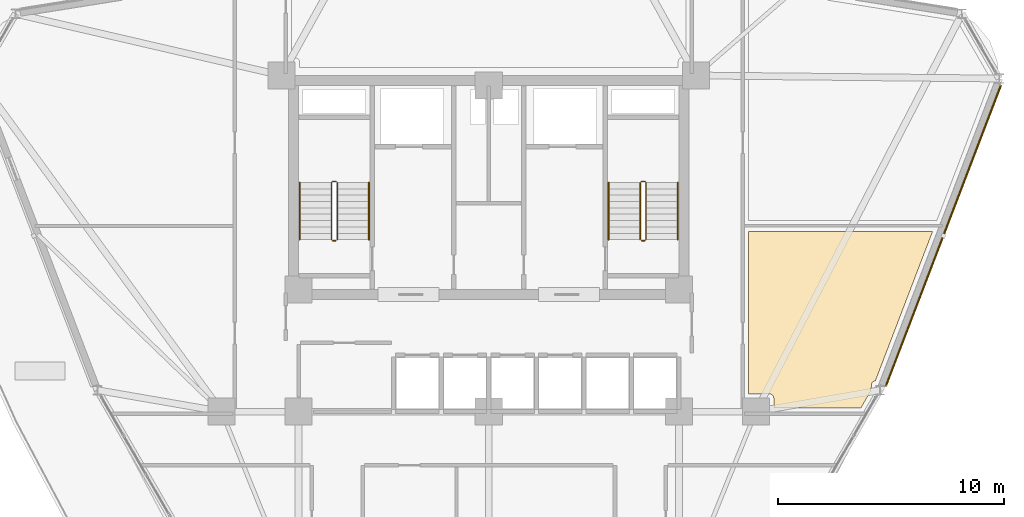
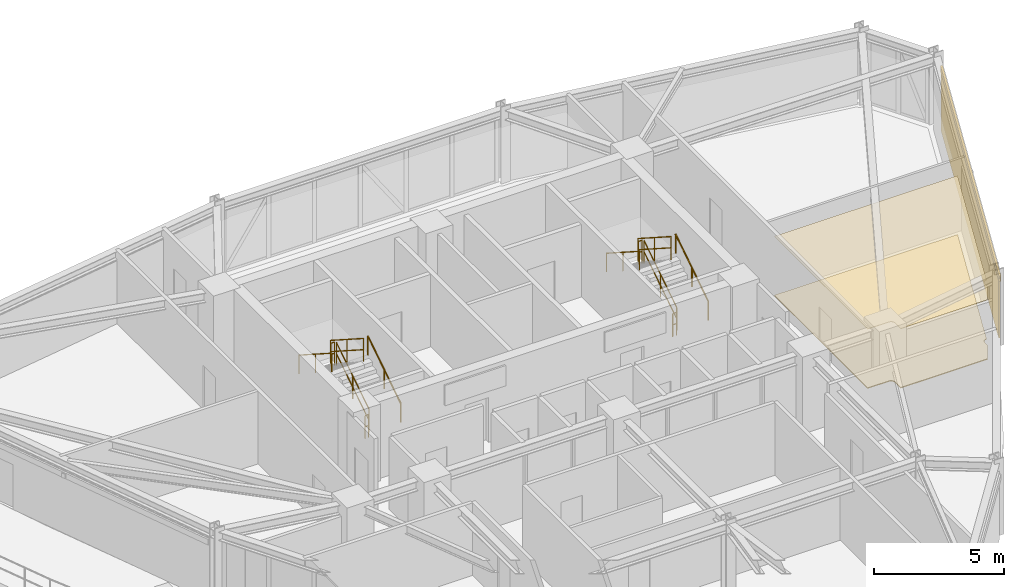
# One storey, part 17 of 18: 12 railings, 3 coverings, 1 shading device.
"""IFC4 building model written with IfcOpenShell, lengths in metres."""

from ifc_helpers import new_model, si_unit, derived_unit, direction, frame, origin, origin_2d, place, context, subcontext, project, spatial, polyline, hollow_rectangle, circle, outline, extrude, source, transform, mapped, material, layer, layer_set, material_profile, profile_set, type_object, element, save


model = new_model("IFC4")

# Units and contexts
model_context = context("Model", 3, precision=1e-05, world=origin(), true_north=direction((0.0, 1.0)))
body_context = subcontext(model_context, "Body", "Model", "MODEL_VIEW")
ifc_project = project(units=[si_unit("LENGTHUNIT", "METRE"), si_unit("AREAUNIT", "SQUARE_METRE"), si_unit("VOLUMEUNIT", "CUBIC_METRE"), si_unit("PLANEANGLEUNIT", "RADIAN"), si_unit("MASSUNIT", "GRAM", prefix="KILO"), derived_unit("THERMALTRANSMITTANCEUNIT", [(si_unit("POWERUNIT", "WATT"), 1), (si_unit("LENGTHUNIT", "METRE"), -2), (si_unit("THERMODYNAMICTEMPERATUREUNIT", "KELVIN"), -1)])], contexts=[model_context])

# Site, building, storey
site_placement = place(None, origin())
site = spatial("IfcSite", under=ifc_project, at=site_placement, CompositionType="ELEMENT")
building_placement = place(site_placement, origin())
building = spatial("IfcBuilding", under=site, at=building_placement, Name="Korsvarv Bourse and Concert Hall", CompositionType="ELEMENT")
storey_placement = place(building_placement, frame((0.0, 0.0, 168.60009765625)))
storey = spatial("IfcBuildingStorey", under=building, at=storey_placement, Name="L43", CompositionType="ELEMENT", Elevation=168.60009765625)

# Coverings
ifc_material_1 = material(Name="Perforated mineral-wool and birch acoustic baffle ceiling", Category="wood")
ifc_layer_1 = layer(ifc_material_1, 0.02490234375)
ifc_layer_set_1 = layer_set([ifc_layer_1], Name="Perforated mineral-wool and birch acoustic baffle ceiling")
covering_type_1 = type_object("IfcCoveringType", Name="COV-CEIL-1", PredefinedType="CEILING", material=ifc_layer_set_1)
covering_1_placement = place(storey_placement, frame((0.0, 0.0, 2.77978515625)))
element("IfcCovering", 1, at=covering_1_placement, inside=storey, type_object=covering_type_1, Name="L43 acoustic baffle ceiling 3", PredefinedType="CEILING", context=body_context, shape_type="SweptSolid", body=[
    extrude(outline(polyline([(48.590087890625, 32.570068359375), (48.590087890625, 33.0), (48.586669921875, 33.034912109375), (48.576416015625, 33.068603515625), (48.56005859375, 33.099609375), (48.537841796875, 33.126708984375), (48.5107421875, 33.149169921875), (48.47998046875, 33.165771484375), (48.446533203125, 33.17626953125), (48.41162109375, 33.179931640625), (47.47998046875, 33.1884765625), (47.47998046875, 40.35009765625), (55.601318359375, 40.35009765625), (53.077392578125, 33.75537109375), (53.04541015625, 33.752197265625), (53.01220703125, 33.7421875), (52.981689453125, 33.726318359375), (52.95458984375, 33.704833984375), (52.93212890625, 33.6787109375), (52.915283203125, 33.648681640625), (52.904296875, 33.615966796875), (52.899658203125, 33.581787109375), (52.891357421875, 33.344970703125), (52.443359375, 32.5693359375), (48.590087890625, 32.570068359375)])), origin(), (0.0, 0.0, 1.0), 0.025146484375),
])
ifc_material_2 = material(Name="Warm iron-oxide extruded terracotta rainscreen tile", Category="ceramic")
ifc_layer_2 = layer(ifc_material_2, 0.044921875)
ifc_layer_set_2 = layer_set([ifc_layer_2], Name="Warm iron-oxide extruded terracotta rainscreen tile")
covering_type_2 = type_object("IfcCoveringType", Name="COV-CLD-TC", PredefinedType="CLADDING", material=ifc_layer_set_2)
covering_2_placement = place(storey_placement, origin())
element("IfcCovering", 2, at=covering_2_placement, inside=storey, type_object=covering_type_2, Name="L43 fluted terracotta cladding panel EW-L43-B12", PredefinedType="CLADDING", context=body_context, shape_type="SweptSolid", body=[
    extrude(outline(polyline([(53.525390625, 33.596923828125), (58.56640625, 46.768798828125), (58.6083984375, 46.752685546875), (53.5673828125, 33.580810546875), (53.525390625, 33.596923828125)])), origin(), (0.0, 0.0, 1.0), 2.679931640625),
])
ifc_material_3 = material(Name="Calcium-sulphate raised access trading floor with Nordic oak top", Category="wood")
ifc_layer_3 = layer(ifc_material_3, 0.0400390625)
ifc_layer_set_3 = layer_set([ifc_layer_3], Name="Calcium-sulphate raised access trading floor with Nordic oak top")
covering_type_3 = type_object("IfcCoveringType", Name="COV-FLOR-1", PredefinedType="FLOORING", material=ifc_layer_set_3)
covering_3_placement = place(storey_placement, origin())
element("IfcCovering", 3, at=covering_3_placement, inside=storey, type_object=covering_type_3, Name="L43 raised access oak floor finish 3", PredefinedType="FLOORING", context=body_context, shape_type="SweptSolid", body=[
    extrude(outline(polyline([(48.590087890625, 32.570068359375), (48.590087890625, 33.0), (48.586669921875, 33.034912109375), (48.576416015625, 33.068603515625), (48.56005859375, 33.099609375), (48.537841796875, 33.126708984375), (48.5107421875, 33.149169921875), (48.47998046875, 33.165771484375), (48.446533203125, 33.17626953125), (48.41162109375, 33.179931640625), (47.47998046875, 33.1884765625), (47.47998046875, 40.35009765625), (55.601318359375, 40.35009765625), (53.077392578125, 33.75537109375), (53.04541015625, 33.752197265625), (53.01220703125, 33.7421875), (52.981689453125, 33.726318359375), (52.95458984375, 33.704833984375), (52.93212890625, 33.6787109375), (52.915283203125, 33.648681640625), (52.904296875, 33.615966796875), (52.899658203125, 33.581787109375), (52.891357421875, 33.344970703125), (52.443359375, 32.5693359375), (48.590087890625, 32.570068359375)])), origin(), (0.0, 0.0, 1.0), 0.039794921875),
])

# Railings
ifc_material_4 = material(Name="Painted Steel S355 stair well guardrail", Category="steel")
railing_type_1 = type_object("IfcRailingType", Name="RL-ST-GRD", PredefinedType="GUARDRAIL", material=ifc_material_4)
railing_1_placement = place(storey_placement, frame((29.31005859375, 40.0, 0.179931640625)))
element("IfcRailing", 4, at=railing_1_placement, inside=storey, type_object=railing_type_1, Name="L43 ST-T1 stair guard 1", PredefinedType="GUARDRAIL", context=body_context, shape_type="SweptSolid", body=[
    extrude(circle(Radius=0.02392578125, at=origin_2d()), frame((0.0, 0.0, 1.076171875), z_axis=(0.0, 0.841199657755, 0.540724639528), x_axis=(-1.0, 0.0, 0.0)), (0.0, 0.0, 1.0), 2.995849609375),
    extrude(circle(Radius=0.02392578125, at=origin_2d()), frame((0.0, 0.0, 0.550048828125), z_axis=(0.0, 0.841199657755, 0.540724639528), x_axis=(-1.0, 0.0, 0.0)), (0.0, 0.0, 1.0), 2.995849609375),
    extrude(circle(Radius=0.02099609375, at=origin_2d()), origin(), (0.0, 0.0, 1.0), 1.052001953125),
    extrude(circle(Radius=0.02099609375, at=origin_2d()), frame((0.0, 1.260009765625, 0.81005859375)), (0.0, 0.0, 1.0), 1.052001953125),
    extrude(circle(Radius=0.02099609375, at=origin_2d()), frame((0.0, 2.52001953125, 1.619873046875)), (0.0, 0.0, 1.0), 1.052001953125),
])
railing_2_placement = place(storey_placement, frame((29.260009765625, 42.570068359375, 1.7998046875)))
element("IfcRailing", 5, at=railing_2_placement, inside=storey, type_object=railing_type_1, Name="L43 ST-T1 stair guard 2", PredefinedType="GUARDRAIL", context=body_context, shape_type="SweptSolid", body=[
    extrude(circle(Radius=0.02392578125, at=origin_2d()), frame((0.0, 0.0, 1.076171875), z_axis=(-1.0, 0.0, 0.0), x_axis=(0.0, -1.0, 0.0)), (0.0, 0.0, 1.0), 0.159912109375),
    extrude(circle(Radius=0.02392578125, at=origin_2d()), frame((0.0, 0.0, 0.550048828125), z_axis=(-1.0, 0.0, 0.0), x_axis=(0.0, -1.0, 0.0)), (0.0, 0.0, 1.0), 0.159912109375),
    extrude(circle(Radius=0.02099609375, at=origin_2d()), origin(), (0.0, 0.0, 1.0), 1.052001953125),
    extrude(circle(Radius=0.02099609375, at=origin_2d()), frame((-0.159912109375, 0.0, 0.0)), (0.0, 0.0, 1.0), 1.052001953125),
])
railing_3_placement = place(storey_placement, frame((29.050048828125, 42.52001953125, 1.97998046875)))
element("IfcRailing", 6, at=railing_3_placement, inside=storey, type_object=railing_type_1, Name="L43 ST-T1 stair guard 3", PredefinedType="GUARDRAIL", context=body_context, shape_type="SweptSolid", body=[
    extrude(circle(Radius=0.02392578125, at=origin_2d()), frame((0.0, 0.0, 1.076171875), z_axis=(0.0, -0.841199657755, 0.540724639528), x_axis=(1.0, 0.0, 0.0)), (0.0, 0.0, 1.0), 2.995849609375),
    extrude(circle(Radius=0.02392578125, at=origin_2d()), frame((0.0, 0.0, 0.550048828125), z_axis=(0.0, -0.841199657755, 0.540724639528), x_axis=(1.0, 0.0, 0.0)), (0.0, 0.0, 1.0), 2.995849609375),
    extrude(circle(Radius=0.02099609375, at=origin_2d()), origin(), (0.0, 0.0, 1.0), 1.052001953125),
    extrude(circle(Radius=0.02099609375, at=origin_2d()), frame((0.0, -1.260009765625, 0.81005859375)), (0.0, 0.0, 1.0), 1.052001953125),
    extrude(circle(Radius=0.02099609375, at=origin_2d()), frame((0.0, -2.52001953125, 1.619873046875)), (0.0, 0.0, 1.0), 1.052001953125),
])
railing_4_placement = place(storey_placement, frame((29.260009765625, 39.949951171875, 0.0)))
element("IfcRailing", 7, at=railing_4_placement, inside=storey, type_object=railing_type_1, Name="L43 ST-T1 stair guard 4", PredefinedType="GUARDRAIL", context=body_context, shape_type="SweptSolid", body=[
    extrude(circle(Radius=0.02392578125, at=origin_2d()), frame((0.0, 0.0, 1.076171875), z_axis=(-1.0, 0.0, 0.0), x_axis=(0.0, -1.0, 0.0)), (0.0, 0.0, 1.0), 0.159912109375),
    extrude(circle(Radius=0.02392578125, at=origin_2d()), frame((0.0, 0.0, 0.550048828125), z_axis=(-1.0, 0.0, 0.0), x_axis=(0.0, -1.0, 0.0)), (0.0, 0.0, 1.0), 0.159912109375),
    extrude(circle(Radius=0.02099609375, at=origin_2d()), origin(), (0.0, 0.0, 1.0), 1.052001953125),
    extrude(circle(Radius=0.02099609375, at=origin_2d()), frame((-0.159912109375, 0.0, 0.0)), (0.0, 0.0, 1.0), 1.052001953125),
])
railing_5_placement = place(storey_placement, frame((42.949951171875, 40.0, 0.179931640625)))
element("IfcRailing", 8, at=railing_5_placement, inside=storey, type_object=railing_type_1, Name="L43 ST-T2 stair guard 1", PredefinedType="GUARDRAIL", context=body_context, shape_type="SweptSolid", body=[
    extrude(circle(Radius=0.02392578125, at=origin_2d()), frame((0.0, 0.0, 1.076171875), z_axis=(0.0, 0.841199657755, 0.540724639528), x_axis=(-1.0, 0.0, 0.0)), (0.0, 0.0, 1.0), 2.995849609375),
    extrude(circle(Radius=0.02392578125, at=origin_2d()), frame((0.0, 0.0, 0.550048828125), z_axis=(0.0, 0.841199657755, 0.540724639528), x_axis=(-1.0, 0.0, 0.0)), (0.0, 0.0, 1.0), 2.995849609375),
    extrude(circle(Radius=0.02099609375, at=origin_2d()), origin(), (0.0, 0.0, 1.0), 1.052001953125),
    extrude(circle(Radius=0.02099609375, at=origin_2d()), frame((0.0, 1.260009765625, 0.81005859375)), (0.0, 0.0, 1.0), 1.052001953125),
    extrude(circle(Radius=0.02099609375, at=origin_2d()), frame((0.0, 2.52001953125, 1.619873046875)), (0.0, 0.0, 1.0), 1.052001953125),
])
railing_6_placement = place(storey_placement, frame((42.89990234375, 42.570068359375, 1.7998046875)))
element("IfcRailing", 9, at=railing_6_placement, inside=storey, type_object=railing_type_1, Name="L43 ST-T2 stair guard 2", PredefinedType="GUARDRAIL", context=body_context, shape_type="SweptSolid", body=[
    extrude(circle(Radius=0.02392578125, at=origin_2d()), frame((0.0, 0.0, 1.076171875), z_axis=(-1.0, 0.0, 0.0), x_axis=(0.0, -1.0, 0.0)), (0.0, 0.0, 1.0), 0.159912109375),
    extrude(circle(Radius=0.02392578125, at=origin_2d()), frame((0.0, 0.0, 0.550048828125), z_axis=(-1.0, 0.0, 0.0), x_axis=(0.0, -1.0, 0.0)), (0.0, 0.0, 1.0), 0.159912109375),
    extrude(circle(Radius=0.02099609375, at=origin_2d()), origin(), (0.0, 0.0, 1.0), 1.052001953125),
    extrude(circle(Radius=0.02099609375, at=origin_2d()), frame((-0.159912109375, 0.0, 0.0)), (0.0, 0.0, 1.0), 1.052001953125),
])
railing_7_placement = place(storey_placement, frame((42.68994140625, 42.52001953125, 1.97998046875)))
element("IfcRailing", 10, at=railing_7_placement, inside=storey, type_object=railing_type_1, Name="L43 ST-T2 stair guard 3", PredefinedType="GUARDRAIL", context=body_context, shape_type="SweptSolid", body=[
    extrude(circle(Radius=0.02392578125, at=origin_2d()), frame((0.0, 0.0, 1.076171875), z_axis=(0.0, -0.841199657755, 0.540724639528), x_axis=(1.0, 0.0, 0.0)), (0.0, 0.0, 1.0), 2.995849609375),
    extrude(circle(Radius=0.02392578125, at=origin_2d()), frame((0.0, 0.0, 0.550048828125), z_axis=(0.0, -0.841199657755, 0.540724639528), x_axis=(1.0, 0.0, 0.0)), (0.0, 0.0, 1.0), 2.995849609375),
    extrude(circle(Radius=0.02099609375, at=origin_2d()), origin(), (0.0, 0.0, 1.0), 1.052001953125),
    extrude(circle(Radius=0.02099609375, at=origin_2d()), frame((0.0, -1.260009765625, 0.81005859375)), (0.0, 0.0, 1.0), 1.052001953125),
    extrude(circle(Radius=0.02099609375, at=origin_2d()), frame((0.0, -2.52001953125, 1.619873046875)), (0.0, 0.0, 1.0), 1.052001953125),
])
railing_8_placement = place(storey_placement, frame((42.89990234375, 39.949951171875, 0.0)))
element("IfcRailing", 11, at=railing_8_placement, inside=storey, type_object=railing_type_1, Name="L43 ST-T2 stair guard 4", PredefinedType="GUARDRAIL", context=body_context, shape_type="SweptSolid", body=[
    extrude(circle(Radius=0.02392578125, at=origin_2d()), frame((0.0, 0.0, 1.076171875), z_axis=(-1.0, 0.0, 0.0), x_axis=(0.0, -1.0, 0.0)), (0.0, 0.0, 1.0), 0.159912109375),
    extrude(circle(Radius=0.02392578125, at=origin_2d()), frame((0.0, 0.0, 0.550048828125), z_axis=(-1.0, 0.0, 0.0), x_axis=(0.0, -1.0, 0.0)), (0.0, 0.0, 1.0), 0.159912109375),
    extrude(circle(Radius=0.02099609375, at=origin_2d()), origin(), (0.0, 0.0, 1.0), 1.052001953125),
    extrude(circle(Radius=0.02099609375, at=origin_2d()), frame((-0.159912109375, 0.0, 0.0)), (0.0, 0.0, 1.0), 1.052001953125),
])
ifc_material_5 = material(Name="Brushed stainless Steel S355 tubular handrail", Category="steel")
railing_type_2 = type_object("IfcRailingType", Name="RL-ST-HND", PredefinedType="HANDRAIL", material=ifc_material_5)
railing_9_placement = place(storey_placement, frame((30.7099609375, 40.0, 0.179931640625)))
element("IfcRailing", 12, at=railing_9_placement, inside=storey, type_object=railing_type_2, Name="L43 ST-T1 stair handrail 1", PredefinedType="HANDRAIL", context=body_context, shape_type="SweptSolid", body=[
    extrude(circle(Radius=0.02392578125, at=origin_2d()), frame((0.0, 0.0, 0.8759765625), z_axis=(0.0, 0.841199657755, 0.540724639528), x_axis=(-1.0, 0.0, 0.0)), (0.0, 0.0, 1.0), 2.995849609375),
    extrude(circle(Radius=0.02099609375, at=origin_2d()), origin(), (0.0, 0.0, 1.0), 0.851806640625),
    extrude(circle(Radius=0.02099609375, at=origin_2d()), frame((0.0, 1.260009765625, 0.81005859375)), (0.0, 0.0, 1.0), 0.851806640625),
    extrude(circle(Radius=0.02099609375, at=origin_2d()), frame((0.0, 2.52001953125, 1.619873046875)), (0.0, 0.0, 1.0), 0.851806640625),
])
railing_10_placement = place(storey_placement, frame((27.64990234375, 42.52001953125, 1.97998046875)))
element("IfcRailing", 13, at=railing_10_placement, inside=storey, type_object=railing_type_2, Name="L43 ST-T1 stair handrail 2", PredefinedType="HANDRAIL", context=body_context, shape_type="SweptSolid", body=[
    extrude(circle(Radius=0.02392578125, at=origin_2d()), frame((0.0, 0.0, 0.8759765625), z_axis=(0.0, -0.841199657755, 0.540724639528), x_axis=(1.0, 0.0, 0.0)), (0.0, 0.0, 1.0), 2.995849609375),
    extrude(circle(Radius=0.02099609375, at=origin_2d()), origin(), (0.0, 0.0, 1.0), 0.851806640625),
    extrude(circle(Radius=0.02099609375, at=origin_2d()), frame((0.0, -1.260009765625, 0.81005859375)), (0.0, 0.0, 1.0), 0.851806640625),
    extrude(circle(Radius=0.02099609375, at=origin_2d()), frame((0.0, -2.52001953125, 1.619873046875)), (0.0, 0.0, 1.0), 0.851806640625),
])
railing_11_placement = place(storey_placement, frame((44.35009765625, 40.0, 0.179931640625)))
element("IfcRailing", 14, at=railing_11_placement, inside=storey, type_object=railing_type_2, Name="L43 ST-T2 stair handrail 1", PredefinedType="HANDRAIL", context=body_context, shape_type="SweptSolid", body=[
    extrude(circle(Radius=0.02392578125, at=origin_2d()), frame((0.0, 0.0, 0.8759765625), z_axis=(0.0, 0.841199657755, 0.540724639528), x_axis=(-1.0, 0.0, 0.0)), (0.0, 0.0, 1.0), 2.995849609375),
    extrude(circle(Radius=0.02099609375, at=origin_2d()), origin(), (0.0, 0.0, 1.0), 0.851806640625),
    extrude(circle(Radius=0.02099609375, at=origin_2d()), frame((0.0, 1.260009765625, 0.81005859375)), (0.0, 0.0, 1.0), 0.851806640625),
    extrude(circle(Radius=0.02099609375, at=origin_2d()), frame((0.0, 2.52001953125, 1.619873046875)), (0.0, 0.0, 1.0), 0.851806640625),
])
railing_12_placement = place(storey_placement, frame((41.2900390625, 42.52001953125, 1.97998046875)))
element("IfcRailing", 15, at=railing_12_placement, inside=storey, type_object=railing_type_2, Name="L43 ST-T2 stair handrail 2", PredefinedType="HANDRAIL", context=body_context, shape_type="SweptSolid", body=[
    extrude(circle(Radius=0.02392578125, at=origin_2d()), frame((0.0, 0.0, 0.8759765625), z_axis=(0.0, -0.841199657755, 0.540724639528), x_axis=(1.0, 0.0, 0.0)), (0.0, 0.0, 1.0), 2.995849609375),
    extrude(circle(Radius=0.02099609375, at=origin_2d()), origin(), (0.0, 0.0, 1.0), 0.851806640625),
    extrude(circle(Radius=0.02099609375, at=origin_2d()), frame((0.0, -1.260009765625, 0.81005859375)), (0.0, 0.0, 1.0), 0.851806640625),
    extrude(circle(Radius=0.02099609375, at=origin_2d()), frame((0.0, -2.52001953125, 1.619873046875)), (0.0, 0.0, 1.0), 0.851806640625),
])

# Shading device
ifc_material_6 = material(Name="Glazed extruded architectural terracotta", Category="ceramic")
ifc_material_profile = material_profile(ifc_material_6, hollow_rectangle(XDim=0.090087890625, YDim=0.260009765625, WallThickness=0.011962890625, at=origin_2d()), Name="TC-BAG 90x260")
ifc_profile_set = profile_set([ifc_material_profile], Name="Glazed extruded architectural terracotta")
shading_device_type = type_object("IfcShadingDeviceType", Name="SHD-BAG-1", PredefinedType="USERDEFINED", material=ifc_profile_set)
shared_shape = source(origin(), body_context, "Body", "SweptSolid", [
    extrude(hollow_rectangle(XDim=0.090087890625, YDim=0.260009765625, WallThickness=0.011962890625, at=origin_2d()), origin(), (0.0, 0.0, 1.0), 14.263671875),
])
shading_device_placement = place(storey_placement, frame((53.5341796875, 33.5078125, 2.83984375), z_axis=(0.357404930553, 0.933949525197, 0.0), x_axis=(-0.933949525197, 0.357404930553, 0.0)))
element("IfcShadingDevice", 16, at=shading_device_placement, inside=storey, type_object=shading_device_type, Name="L43 terracotta baguette sunshade EW-L43-B12", ObjectType="BAGUETTE", PredefinedType="USERDEFINED", context=body_context, shape_type="MappedRepresentation", body=[
    mapped(shared_shape, transform((0.0, 0.0, 0.0), scale=1.0)),
])

save(model, "model.ifc")
